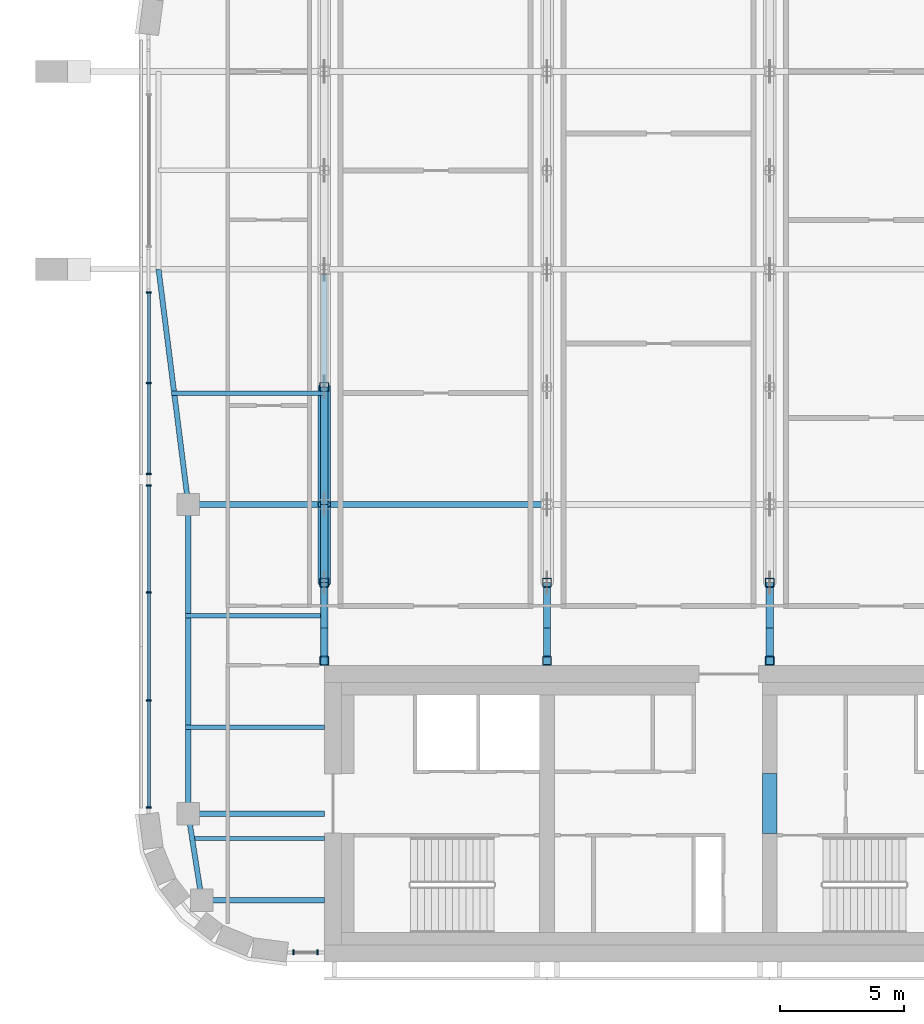
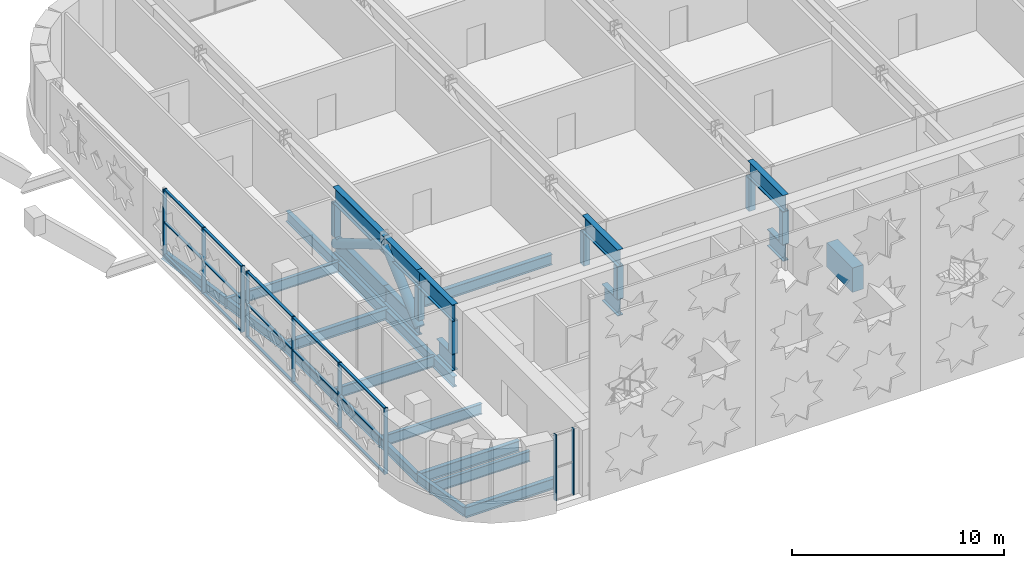
# One storey, part 3 of 26: 43 members, 12 beams, 3 elements without a shape of their own.
"""IFC4 building model written with IfcOpenShell, lengths in metres."""

from ifc_helpers import new_model, si_unit, direction, frame, origin, origin_2d, place, context, subcontext, project, spatial, rectangle, hollow_rectangle, hollow_circle, i_section, extrude, material, material_profile, profile_set, type_object, element, aggregate, save


model = new_model("IFC4")

# Units and contexts
model_context = context("Model", 3, precision=1e-05, world=origin(), true_north=direction((0.0, 1.0)))
body_context = subcontext(model_context, "Body", "Model", "MODEL_VIEW")
ifc_project = project(units=[si_unit("LENGTHUNIT", "METRE"), si_unit("AREAUNIT", "SQUARE_METRE"), si_unit("VOLUMEUNIT", "CUBIC_METRE"), si_unit("PLANEANGLEUNIT", "RADIAN"), si_unit("MASSUNIT", "GRAM", prefix="KILO")], contexts=[model_context])

# Site, building, storey
site_placement = place(None, origin())
site = spatial("IfcSite", under=ifc_project, at=site_placement, CompositionType="ELEMENT")
building_placement = place(site_placement, origin())
building = spatial("IfcBuilding", under=site, at=building_placement, Name="Zellij Exchange Tower", CompositionType="ELEMENT")
storey_placement = place(building_placement, frame((0.0, 0.0, 216.5)))
storey = spatial("IfcBuildingStorey", under=building, at=storey_placement, Name="L50", CompositionType="ELEMENT", Elevation=216.5)

# Beam
ifc_material_1 = material(Name="Concrete C50/60", Category="concrete")
ifc_material_profile_1 = material_profile(ifc_material_1, rectangle(XDim=0.60009765625, YDim=1.39990234375, at=origin_2d()), Name="CORE-CB 600x1400 C50/60")
ifc_profile_set_1 = profile_set([ifc_material_profile_1], Name="Concrete C50/60")
beam_type_1 = type_object("IfcBeamType", Name="CORE-CB 600x1400 C50/60", PredefinedType="BEAM", material=ifc_profile_set_1)
beam_1_placement = place(storey_placement, frame((-9.0, -8.800048828125, 3.10009765625), z_axis=(0.0, 1.0, 0.0), x_axis=(-1.0, 0.0, 0.0)))
element("IfcBeam", 1, at=beam_1_placement, inside=storey, type_object=beam_type_1, Name="Core coupling beam x -9 L50", PredefinedType="BEAM", context=body_context, shape_type="SweptSolid", body=[
    extrude(rectangle(XDim=0.60009765625, YDim=1.39990234375, at=origin_2d()), origin(), (0.0, 0.0, 1.0), 2.425048828125),
])

# Curtain wall, members
ifc_material_2 = material(Name="Aluminium frame, clear insulating glass", Category="aluminium")
curtain_wall_type = type_object("IfcCurtainWallType", Name="ENV-CW2 Outrigger-storey glazing", PredefinedType="NOTDEFINED", material=ifc_material_2)
curtain_wall_1_placement = place(storey_placement, origin())
curtain_wall_1 = element("IfcCurtainWall", 2, at=curtain_wall_1_placement, inside=storey, type_object=curtain_wall_type, Name="cw.L50.00a", PredefinedType="NOTDEFINED")
ifc_material_3 = material(Name="Aluminium", Category="aluminium")
ifc_material_profile_2 = material_profile(ifc_material_3, rectangle(XDim=0.06005859375, YDim=0.199951171875, at=origin_2d()), Name="AL 60x200")
ifc_profile_set_2 = profile_set([ifc_material_profile_2], Name="Aluminium")
member_type_1 = type_object("IfcMemberType", Name="ENV-CW2M Mullion 60x200", PredefinedType="MULLION", material=ifc_profile_set_2)
member_1_placement = place(storey_placement, frame((-28.243896484375, -13.60009765625, 0.0), z_axis=(0.0, 0.0, 1.0), x_axis=(1.0, 0.0, 0.0)))
member_1 = element("IfcMember", 3, at=member_1_placement, type_object=member_type_1, Name="CW2 mullion 1", PredefinedType="MULLION", context=body_context, shape_type="SweptSolid", body=[
    extrude(rectangle(XDim=0.06005859375, YDim=0.199951171875, at=origin_2d()), origin(), (0.0, 0.0, 1.0), 3.800048828125),
])
member_2_placement = place(storey_placement, frame((-27.280029296875, -13.60009765625, 0.0), z_axis=(0.0, 0.0, 1.0), x_axis=(1.0, 0.0, 0.0)))
member_2 = element("IfcMember", 4, at=member_2_placement, type_object=member_type_1, Name="CW2 mullion 2", PredefinedType="MULLION", context=body_context, shape_type="SweptSolid", body=[
    extrude(rectangle(XDim=0.06005859375, YDim=0.199951171875, at=origin_2d()), origin(), (0.0, 0.0, 1.0), 3.800048828125),
])
aggregate(curtain_wall_1, [member_1, member_2])

curtain_wall_2_placement = place(storey_placement, origin())
curtain_wall_2 = element("IfcCurtainWall", 5, at=curtain_wall_2_placement, inside=storey, type_object=curtain_wall_type, Name="cw.L50.21a.b", PredefinedType="NOTDEFINED")
member_3_placement = place(storey_placement, frame((-34.10009765625, 13.070068359375, 0.0), z_axis=(0.0, 0.0, 1.0), x_axis=(0.0, -1.0, 0.0)))
member_3 = element("IfcMember", 6, at=member_3_placement, type_object=member_type_1, Name="CW2 mullion 1", PredefinedType="MULLION", context=body_context, shape_type="SweptSolid", body=[
    extrude(rectangle(XDim=0.06005859375, YDim=0.199951171875, at=origin_2d()), origin(), (0.0, 0.0, 1.0), 3.800048828125),
])
member_4_placement = place(storey_placement, frame((-34.10009765625, 9.40185546875, 0.0), z_axis=(0.0, 0.0, 1.0), x_axis=(0.0, -1.0, 0.0)))
member_4 = element("IfcMember", 7, at=member_4_placement, type_object=member_type_1, Name="CW2 mullion 2", PredefinedType="MULLION", context=body_context, shape_type="SweptSolid", body=[
    extrude(rectangle(XDim=0.06005859375, YDim=0.199951171875, at=origin_2d()), origin(), (0.0, 0.0, 1.0), 3.800048828125),
])
member_5_placement = place(storey_placement, frame((-34.10009765625, 5.73388671875, 0.0), z_axis=(0.0, 0.0, 1.0), x_axis=(0.0, -1.0, 0.0)))
member_5 = element("IfcMember", 8, at=member_5_placement, type_object=member_type_1, Name="CW2 mullion 3", PredefinedType="MULLION", context=body_context, shape_type="SweptSolid", body=[
    extrude(rectangle(XDim=0.06005859375, YDim=0.199951171875, at=origin_2d()), origin(), (0.0, 0.0, 1.0), 3.800048828125),
])

curtain_wall_3_placement = place(storey_placement, origin())
curtain_wall_3 = element("IfcCurtainWall", 9, at=curtain_wall_3_placement, inside=storey, type_object=curtain_wall_type, Name="cw.L50.21b", PredefinedType="NOTDEFINED")
member_6_placement = place(storey_placement, frame((-34.10009765625, 5.273681640625, 0.0), z_axis=(0.0, 0.0, 1.0), x_axis=(0.0, -1.0, 0.0)))
member_6 = element("IfcMember", 10, at=member_6_placement, type_object=member_type_1, Name="CW2 mullion 1", PredefinedType="MULLION", context=body_context, shape_type="SweptSolid", body=[
    extrude(rectangle(XDim=0.06005859375, YDim=0.199951171875, at=origin_2d()), origin(), (0.0, 0.0, 1.0), 3.800048828125),
])
member_7_placement = place(storey_placement, frame((-34.10009765625, 0.944580078125, 0.0), z_axis=(0.0, 0.0, 1.0), x_axis=(0.0, -1.0, 0.0)))
member_7 = element("IfcMember", 11, at=member_7_placement, type_object=member_type_1, Name="CW2 mullion 2", PredefinedType="MULLION", context=body_context, shape_type="SweptSolid", body=[
    extrude(rectangle(XDim=0.06005859375, YDim=0.199951171875, at=origin_2d()), origin(), (0.0, 0.0, 1.0), 3.800048828125),
])
member_8_placement = place(storey_placement, frame((-34.10009765625, -3.41455078125, 0.0), z_axis=(0.0, 0.0, 1.0), x_axis=(0.0, -1.0, 0.0)))
member_8 = element("IfcMember", 12, at=member_8_placement, type_object=member_type_1, Name="CW2 mullion 3", PredefinedType="MULLION", context=body_context, shape_type="SweptSolid", body=[
    extrude(rectangle(XDim=0.06005859375, YDim=0.199951171875, at=origin_2d()), origin(), (0.0, 0.0, 1.0), 3.800048828125),
])
member_9_placement = place(storey_placement, frame((-34.10009765625, -7.743896484375, 0.0), z_axis=(0.0, 0.0, 1.0), x_axis=(0.0, -1.0, 0.0)))
member_9 = element("IfcMember", 13, at=member_9_placement, type_object=member_type_1, Name="CW2 mullion 4", PredefinedType="MULLION", context=body_context, shape_type="SweptSolid", body=[
    extrude(rectangle(XDim=0.06005859375, YDim=0.199951171875, at=origin_2d()), origin(), (0.0, 0.0, 1.0), 3.800048828125),
])

# Member
ifc_material_profile_3 = material_profile(ifc_material_3, rectangle(XDim=0.139892578125, YDim=0.06005859375, at=origin_2d()), Name="AL 140x60")
ifc_profile_set_3 = profile_set([ifc_material_profile_3], Name="Aluminium")
member_type_2 = type_object("IfcMemberType", Name="ENV-CW2T Transom 140x60", PredefinedType="USERDEFINED", material=ifc_profile_set_3)
member_10_placement = place(storey_placement, frame((-34.10009765625, 13.0400390625, 0.030029296875), z_axis=(0.0, -1.0, 0.0), x_axis=(1.0, 0.0, 0.0)))
member_10 = element("IfcMember", 14, at=member_10_placement, type_object=member_type_2, Name="CW2 transom 1.1", ObjectType="TRANSOM", PredefinedType="USERDEFINED", context=body_context, shape_type="SweptSolid", body=[
    extrude(rectangle(XDim=0.139892578125, YDim=0.06005859375, at=origin_2d()), origin(), (0.0, 0.0, 1.0), 3.608154296875),
])

member_11_placement = place(storey_placement, frame((-34.10009765625, 13.0400390625, 1.89990234375), z_axis=(0.0, -1.0, 0.0), x_axis=(1.0, 0.0, 0.0)))
member_11 = element("IfcMember", 15, at=member_11_placement, type_object=member_type_2, Name="CW2 transom 1.2", ObjectType="TRANSOM", PredefinedType="USERDEFINED", context=body_context, shape_type="SweptSolid", body=[
    extrude(rectangle(XDim=0.139892578125, YDim=0.06005859375, at=origin_2d()), origin(), (0.0, 0.0, 1.0), 3.608154296875),
])

member_12_placement = place(storey_placement, frame((-34.10009765625, 13.0400390625, 3.77001953125), z_axis=(0.0, -1.0, 0.0), x_axis=(1.0, 0.0, 0.0)))
member_12 = element("IfcMember", 16, at=member_12_placement, type_object=member_type_2, Name="CW2 transom 1.3", ObjectType="TRANSOM", PredefinedType="USERDEFINED", context=body_context, shape_type="SweptSolid", body=[
    extrude(rectangle(XDim=0.139892578125, YDim=0.06005859375, at=origin_2d()), origin(), (0.0, 0.0, 1.0), 3.608154296875),
])

member_13_placement = place(storey_placement, frame((-34.10009765625, 9.371826171875, 0.030029296875), z_axis=(0.0, -1.0, 0.0), x_axis=(1.0, 0.0, 0.0)))
member_13 = element("IfcMember", 17, at=member_13_placement, type_object=member_type_2, Name="CW2 transom 2.1", ObjectType="TRANSOM", PredefinedType="USERDEFINED", context=body_context, shape_type="SweptSolid", body=[
    extrude(rectangle(XDim=0.139892578125, YDim=0.06005859375, at=origin_2d()), origin(), (0.0, 0.0, 1.0), 3.60791015625),
])

member_14_placement = place(storey_placement, frame((-34.10009765625, 9.371826171875, 1.89990234375), z_axis=(0.0, -1.0, 0.0), x_axis=(1.0, 0.0, 0.0)))
member_14 = element("IfcMember", 18, at=member_14_placement, type_object=member_type_2, Name="CW2 transom 2.2", ObjectType="TRANSOM", PredefinedType="USERDEFINED", context=body_context, shape_type="SweptSolid", body=[
    extrude(rectangle(XDim=0.139892578125, YDim=0.06005859375, at=origin_2d()), origin(), (0.0, 0.0, 1.0), 3.60791015625),
])

member_15_placement = place(storey_placement, frame((-34.10009765625, 9.371826171875, 3.77001953125), z_axis=(0.0, -1.0, 0.0), x_axis=(1.0, 0.0, 0.0)))
member_15 = element("IfcMember", 19, at=member_15_placement, type_object=member_type_2, Name="CW2 transom 2.3", ObjectType="TRANSOM", PredefinedType="USERDEFINED", context=body_context, shape_type="SweptSolid", body=[
    extrude(rectangle(XDim=0.139892578125, YDim=0.06005859375, at=origin_2d()), origin(), (0.0, 0.0, 1.0), 3.60791015625),
])

aggregate(curtain_wall_2, [member_3, member_4, member_5, member_10, member_11, member_12, member_13, member_14, member_15])

member_16_placement = place(storey_placement, frame((-34.10009765625, 5.243896484375, 0.030029296875), z_axis=(0.0, -1.0, 0.0), x_axis=(1.0, 0.0, 0.0)))
member_16 = element("IfcMember", 20, at=member_16_placement, type_object=member_type_2, Name="CW2 transom 1.1", ObjectType="TRANSOM", PredefinedType="USERDEFINED", context=body_context, shape_type="SweptSolid", body=[
    extrude(rectangle(XDim=0.139892578125, YDim=0.06005859375, at=origin_2d()), origin(), (0.0, 0.0, 1.0), 4.269287109375),
])

member_17_placement = place(storey_placement, frame((-34.10009765625, 5.243896484375, 1.89990234375), z_axis=(0.0, -1.0, 0.0), x_axis=(1.0, 0.0, 0.0)))
member_17 = element("IfcMember", 21, at=member_17_placement, type_object=member_type_2, Name="CW2 transom 1.2", ObjectType="TRANSOM", PredefinedType="USERDEFINED", context=body_context, shape_type="SweptSolid", body=[
    extrude(rectangle(XDim=0.139892578125, YDim=0.06005859375, at=origin_2d()), origin(), (0.0, 0.0, 1.0), 4.269287109375),
])

member_18_placement = place(storey_placement, frame((-34.10009765625, 5.243896484375, 3.77001953125), z_axis=(0.0, -1.0, 0.0), x_axis=(1.0, 0.0, 0.0)))
member_18 = element("IfcMember", 22, at=member_18_placement, type_object=member_type_2, Name="CW2 transom 1.3", ObjectType="TRANSOM", PredefinedType="USERDEFINED", context=body_context, shape_type="SweptSolid", body=[
    extrude(rectangle(XDim=0.139892578125, YDim=0.06005859375, at=origin_2d()), origin(), (0.0, 0.0, 1.0), 4.269287109375),
])

member_19_placement = place(storey_placement, frame((-34.10009765625, 0.91455078125, 0.030029296875), z_axis=(0.0, -1.0, 0.0), x_axis=(1.0, 0.0, 0.0)))
member_19 = element("IfcMember", 23, at=member_19_placement, type_object=member_type_2, Name="CW2 transom 2.1", ObjectType="TRANSOM", PredefinedType="USERDEFINED", context=body_context, shape_type="SweptSolid", body=[
    extrude(rectangle(XDim=0.139892578125, YDim=0.06005859375, at=origin_2d()), origin(), (0.0, 0.0, 1.0), 4.299072265625),
])

member_20_placement = place(storey_placement, frame((-34.10009765625, 0.91455078125, 1.89990234375), z_axis=(0.0, -1.0, 0.0), x_axis=(1.0, 0.0, 0.0)))
member_20 = element("IfcMember", 24, at=member_20_placement, type_object=member_type_2, Name="CW2 transom 2.2", ObjectType="TRANSOM", PredefinedType="USERDEFINED", context=body_context, shape_type="SweptSolid", body=[
    extrude(rectangle(XDim=0.139892578125, YDim=0.06005859375, at=origin_2d()), origin(), (0.0, 0.0, 1.0), 4.299072265625),
])

member_21_placement = place(storey_placement, frame((-34.10009765625, 0.91455078125, 3.77001953125), z_axis=(0.0, -1.0, 0.0), x_axis=(1.0, 0.0, 0.0)))
member_21 = element("IfcMember", 25, at=member_21_placement, type_object=member_type_2, Name="CW2 transom 2.3", ObjectType="TRANSOM", PredefinedType="USERDEFINED", context=body_context, shape_type="SweptSolid", body=[
    extrude(rectangle(XDim=0.139892578125, YDim=0.06005859375, at=origin_2d()), origin(), (0.0, 0.0, 1.0), 4.299072265625),
])

member_22_placement = place(storey_placement, frame((-34.10009765625, -3.444580078125, 0.030029296875), z_axis=(0.0, -1.0, 0.0), x_axis=(1.0, 0.0, 0.0)))
member_22 = element("IfcMember", 26, at=member_22_placement, type_object=member_type_2, Name="CW2 transom 3.1", ObjectType="TRANSOM", PredefinedType="USERDEFINED", context=body_context, shape_type="SweptSolid", body=[
    extrude(rectangle(XDim=0.139892578125, YDim=0.06005859375, at=origin_2d()), origin(), (0.0, 0.0, 1.0), 4.269287109375),
])

member_23_placement = place(storey_placement, frame((-34.10009765625, -3.444580078125, 1.89990234375), z_axis=(0.0, -1.0, 0.0), x_axis=(1.0, 0.0, 0.0)))
member_23 = element("IfcMember", 27, at=member_23_placement, type_object=member_type_2, Name="CW2 transom 3.2", ObjectType="TRANSOM", PredefinedType="USERDEFINED", context=body_context, shape_type="SweptSolid", body=[
    extrude(rectangle(XDim=0.139892578125, YDim=0.06005859375, at=origin_2d()), origin(), (0.0, 0.0, 1.0), 4.269287109375),
])

member_24_placement = place(storey_placement, frame((-34.10009765625, -3.444580078125, 3.77001953125), z_axis=(0.0, -1.0, 0.0), x_axis=(1.0, 0.0, 0.0)))
member_24 = element("IfcMember", 28, at=member_24_placement, type_object=member_type_2, Name="CW2 transom 3.3", ObjectType="TRANSOM", PredefinedType="USERDEFINED", context=body_context, shape_type="SweptSolid", body=[
    extrude(rectangle(XDim=0.139892578125, YDim=0.06005859375, at=origin_2d()), origin(), (0.0, 0.0, 1.0), 4.269287109375),
])

aggregate(curtain_wall_3, [member_6, member_7, member_8, member_9, member_16, member_17, member_18, member_19, member_20, member_21, member_22, member_23, member_24])

# Beams
ifc_material_4 = material(Name="Structural steel ASTM A992 Gr 50", Category="steel")
ifc_material_profile_4 = material_profile(ifc_material_4, i_section(OverallWidth=0.177978515625, OverallDepth=0.599365234375, WebThickness=0.010009765625, FlangeThickness=0.012939453125, at=origin_2d()), Name="W24x55")
ifc_profile_set_4 = profile_set([ifc_material_profile_4], Name="Structural steel ASTM A992 Gr 50")
beam_type_2 = type_object("IfcBeamType", Name="STR-BEAM W24x55", PredefinedType="BEAM", material=ifc_profile_set_4)
beam_2_placement = place(storey_placement, frame((-32.44873046875, -9.0, -0.649658203125), z_axis=(1.0, 0.0, 0.0), x_axis=(0.0, 1.0, 0.0)))
element("IfcBeam", 29, at=beam_2_placement, inside=storey, type_object=beam_type_2, Name="B4", PredefinedType="BEAM", context=body_context, shape_type="SweptSolid", body=[
    extrude(i_section(OverallWidth=0.177978515625, OverallDepth=0.599365234375, WebThickness=0.010009765625, FlangeThickness=0.012939453125, at=origin_2d()), origin(), (0.0, 0.0, 1.0), 5.44873046875),
])
for number, where, z_axis, x_axis, name in (
    (30, (-32.6044921875, -4.5, -0.649658203125), (1.0, 0.0, 0.0), (0.0, 1.0, 0.0), "B4"),
    (31, (-32.6044921875, 0.0, -0.649658203125), (1.0, 0.0, 0.0), (0.0, 1.0, 0.0), "B4"),
):
    element("IfcBeam", number, at=place(storey_placement, frame(where, z_axis=z_axis, x_axis=x_axis)), inside=storey, type_object=beam_type_2, Name=name, PredefinedType="BEAM", context=body_context, shape_type="SweptSolid", body=[
        extrude(i_section(OverallWidth=0.177978515625, OverallDepth=0.599365234375, WebThickness=0.010009765625, FlangeThickness=0.012939453125, at=origin_2d()), origin(), (0.0, 0.0, 1.0), 5.6044921875),
    ])
beam_3_placement = place(storey_placement, frame((-33.173828125, 9.0, -0.649658203125), z_axis=(1.0, 0.0, 0.0), x_axis=(0.0, 1.0, 0.0)))
element("IfcBeam", 32, at=beam_3_placement, inside=storey, type_object=beam_type_2, Name="B4", PredefinedType="BEAM", context=body_context, shape_type="SweptSolid", body=[
    extrude(i_section(OverallWidth=0.177978515625, OverallDepth=0.599365234375, WebThickness=0.010009765625, FlangeThickness=0.012939453125, at=origin_2d()), origin(), (0.0, 0.0, 1.0), 6.173828125),
])
ifc_material_profile_5 = material_profile(ifc_material_4, i_section(OverallWidth=0.209228515625, OverallDepth=0.533447265625, WebThickness=0.01025390625, FlangeThickness=0.015625, at=origin_2d()), Name="W21x62")
ifc_profile_set_5 = profile_set([ifc_material_profile_5], Name="Structural steel ASTM A992 Gr 50")
beam_type_3 = type_object("IfcBeamType", Name="STR-EDGE GIRDER W21x62", PredefinedType="BEAM", material=ifc_profile_set_5)
beam_4_placement = place(storey_placement, frame((-31.949951171875, -11.5, -0.61669921875), z_axis=(-0.155251283593, 0.987875011802, 0.0), x_axis=(-0.987875011802, -0.155251283593, 0.0)))
element("IfcBeam", 33, at=beam_4_placement, inside=storey, type_object=beam_type_3, Name="EB3", PredefinedType="BEAM", context=body_context, shape_type="SweptSolid", body=[
    extrude(i_section(OverallWidth=0.209228515625, OverallDepth=0.533447265625, WebThickness=0.01025390625, FlangeThickness=0.015625, at=origin_2d()), origin(), (0.0, 0.0, 1.0), 3.54296875),
])
beam_5_placement = place(storey_placement, frame((-32.5, -8.0, -0.61669921875), z_axis=(0.0, 1.0, 0.0), x_axis=(-1.0, 0.0, 0.0)))
element("IfcBeam", 34, at=beam_5_placement, inside=storey, type_object=beam_type_3, Name="EB3", PredefinedType="BEAM", context=body_context, shape_type="SweptSolid", body=[
    extrude(i_section(OverallWidth=0.209228515625, OverallDepth=0.533447265625, WebThickness=0.01025390625, FlangeThickness=0.015625, at=origin_2d()), origin(), (0.0, 0.0, 1.0), 12.5),
])
beam_6_placement = place(storey_placement, frame((-32.5, 4.5, -0.61669921875), z_axis=(-0.125314944287, 0.992117011616, 0.0), x_axis=(-0.992117011616, -0.125314944287, 0.0)))
element("IfcBeam", 35, at=beam_6_placement, inside=storey, type_object=beam_type_3, Name="EB3", PredefinedType="BEAM", context=body_context, shape_type="SweptSolid", body=[
    extrude(i_section(OverallWidth=0.209228515625, OverallDepth=0.533447265625, WebThickness=0.01025390625, FlangeThickness=0.015625, at=origin_2d()), origin(), (0.0, 0.0, 1.0), 9.575439453125),
])
ifc_material_profile_6 = material_profile(ifc_material_4, i_section(OverallWidth=0.228271484375, OverallDepth=0.607177734375, WebThickness=0.01123046875, FlangeThickness=0.017333984375, at=origin_2d()), Name="W24x76")
ifc_profile_set_6 = profile_set([ifc_material_profile_6], Name="Structural steel ASTM A992 Gr 50")
beam_type_4 = type_object("IfcBeamType", Name="STR-GIRDER W24x76", PredefinedType="BEAM", material=ifc_profile_set_6)
beam_7_placement = place(storey_placement, frame((-31.949951171875, -11.5, -0.653564453125), z_axis=(1.0, 0.0, 0.0), x_axis=(0.0, 1.0, 0.0)))
element("IfcBeam", 36, at=beam_7_placement, inside=storey, type_object=beam_type_4, Name="G2", PredefinedType="BEAM", context=body_context, shape_type="SweptSolid", body=[
    extrude(i_section(OverallWidth=0.228271484375, OverallDepth=0.607177734375, WebThickness=0.01123046875, FlangeThickness=0.017333984375, at=origin_2d()), origin(), (0.0, 0.0, 1.0), 4.949951171875),
])
beam_8_placement = place(storey_placement, frame((-32.5, -8.0, -0.653564453125), z_axis=(1.0, 0.0, 0.0), x_axis=(0.0, 1.0, 0.0)))
element("IfcBeam", 37, at=beam_8_placement, inside=storey, type_object=beam_type_4, Name="G2", PredefinedType="BEAM", context=body_context, shape_type="SweptSolid", body=[
    extrude(i_section(OverallWidth=0.228271484375, OverallDepth=0.607177734375, WebThickness=0.01123046875, FlangeThickness=0.017333984375, at=origin_2d()), origin(), (0.0, 0.0, 1.0), 5.5),
])
beam_9_placement = place(storey_placement, frame((-32.5, 4.5, -0.653564453125), z_axis=(1.0, 0.0, 0.0), x_axis=(0.0, 1.0, 0.0)))
element("IfcBeam", 38, at=beam_9_placement, inside=storey, type_object=beam_type_4, Name="G2", PredefinedType="BEAM", context=body_context, shape_type="SweptSolid", body=[
    extrude(i_section(OverallWidth=0.228271484375, OverallDepth=0.607177734375, WebThickness=0.01123046875, FlangeThickness=0.017333984375, at=origin_2d()), origin(), (0.0, 0.0, 1.0), 14.5),
])
beam_10_placement = place(storey_placement, frame((-27.0, -2.0, -0.653564453125), z_axis=(0.0, 1.0, 0.0), x_axis=(-1.0, 0.0, 0.0)))
element("IfcBeam", 39, at=beam_10_placement, inside=storey, type_object=beam_type_4, Name="G2", PredefinedType="BEAM", context=body_context, shape_type="SweptSolid", body=[
    extrude(i_section(OverallWidth=0.228271484375, OverallDepth=0.607177734375, WebThickness=0.01123046875, FlangeThickness=0.017333984375, at=origin_2d()), origin(), (0.0, 0.0, 1.0), 15.787841796875),
])

# Members
ifc_material_5 = material(Name="Structural steel ASTM A913 Gr 65", Category="steel")
ifc_material_profile_7 = material_profile(ifc_material_5, i_section(OverallWidth=0.2998046875, OverallDepth=0.965087890625, WebThickness=0.01904296875, FlangeThickness=0.0361328125, at=origin_2d()), Name="W40x249")
ifc_profile_set_7 = profile_set([ifc_material_profile_7], Name="Structural steel ASTM A913 Gr 65")
member_type_3 = type_object("IfcMemberType", Name="STR-OUTRIGGER TRUSS CHORD W40x249", PredefinedType="CHORD", material=ifc_profile_set_7)
member_25_placement = place(storey_placement, frame((-27.0, -2.0, 3.3173828125), z_axis=(0.0, 1.0, 0.0), x_axis=(-1.0, 0.0, 0.0)))
element("IfcMember", 40, at=member_25_placement, inside=storey, type_object=member_type_3, Name="OT1", PredefinedType="CHORD", context=body_context, shape_type="SweptSolid", body=[
    extrude(i_section(OverallWidth=0.2998046875, OverallDepth=0.965087890625, WebThickness=0.01904296875, FlangeThickness=0.0361328125, at=origin_2d()), origin(), (0.0, 0.0, 1.0), 3.339111328125),
])
member_26_placement = place(storey_placement, frame((-27.0, -2.0, 0.482666015625), z_axis=(0.0, 1.0, 0.0), x_axis=(-1.0, 0.0, 0.0)))
element("IfcMember", 41, at=member_26_placement, inside=storey, type_object=member_type_3, Name="OT1", PredefinedType="CHORD", context=body_context, shape_type="SweptSolid", body=[
    extrude(i_section(OverallWidth=0.2998046875, OverallDepth=0.965087890625, WebThickness=0.01904296875, FlangeThickness=0.0361328125, at=origin_2d()), origin(), (0.0, 0.0, 1.0), 1.5),
])
for number, where, z_axis, x_axis, name in (
    (42, (-27.0, 1.339111328125, 3.3173828125), (0.0, 1.0, 0.0), (-1.0, 0.0, 0.0), "OT1"),
    (43, (-27.0, 1.339111328125, 0.482666015625), (0.0, 1.0, 0.0), (-1.0, 0.0, 0.0), "OT1"),
):
    element("IfcMember", number, at=place(storey_placement, frame(where, z_axis=z_axis, x_axis=x_axis)), inside=storey, type_object=member_type_3, Name=name, PredefinedType="CHORD", context=body_context, shape_type="SweptSolid", body=[
        extrude(i_section(OverallWidth=0.2998046875, OverallDepth=0.965087890625, WebThickness=0.01904296875, FlangeThickness=0.0361328125, at=origin_2d()), origin(), (0.0, 0.0, 1.0), 3.160888671875),
    ])
for number, where, z_axis, x_axis, name in (
    (44, (-27.0, 4.5, 3.3173828125), (0.0, 1.0, 0.0), (-1.0, 0.0, 0.0), "OT1"),
    (45, (-27.0, 4.5, 0.482666015625), (0.0, 1.0, 0.0), (-1.0, 0.0, 0.0), "OT1"),
):
    element("IfcMember", number, at=place(storey_placement, frame(where, z_axis=z_axis, x_axis=x_axis)), inside=storey, type_object=member_type_3, Name=name, PredefinedType="CHORD", context=body_context, shape_type="SweptSolid", body=[
        extrude(i_section(OverallWidth=0.2998046875, OverallDepth=0.965087890625, WebThickness=0.01904296875, FlangeThickness=0.0361328125, at=origin_2d()), origin(), (0.0, 0.0, 1.0), 4.75),
    ])
member_27_placement = place(storey_placement, frame((-18.0, -2.0, 3.3173828125), z_axis=(0.0, 1.0, 0.0), x_axis=(-1.0, 0.0, 0.0)))
element("IfcMember", 46, at=member_27_placement, inside=storey, type_object=member_type_3, Name="OT1", PredefinedType="CHORD", context=body_context, shape_type="SweptSolid", body=[
    extrude(i_section(OverallWidth=0.2998046875, OverallDepth=0.965087890625, WebThickness=0.01904296875, FlangeThickness=0.0361328125, at=origin_2d()), origin(), (0.0, 0.0, 1.0), 3.339111328125),
])
member_28_placement = place(storey_placement, frame((-18.0, -2.0, 0.482666015625), z_axis=(0.0, 1.0, 0.0), x_axis=(-1.0, 0.0, 0.0)))
element("IfcMember", 47, at=member_28_placement, inside=storey, type_object=member_type_3, Name="OT1", PredefinedType="CHORD", context=body_context, shape_type="SweptSolid", body=[
    extrude(i_section(OverallWidth=0.2998046875, OverallDepth=0.965087890625, WebThickness=0.01904296875, FlangeThickness=0.0361328125, at=origin_2d()), origin(), (0.0, 0.0, 1.0), 1.5),
])
member_29_placement = place(storey_placement, frame((-9.0, -2.0, 3.3173828125), z_axis=(0.0, 1.0, 0.0), x_axis=(-1.0, 0.0, 0.0)))
element("IfcMember", 48, at=member_29_placement, inside=storey, type_object=member_type_3, Name="OT1", PredefinedType="CHORD", context=body_context, shape_type="SweptSolid", body=[
    extrude(i_section(OverallWidth=0.2998046875, OverallDepth=0.965087890625, WebThickness=0.01904296875, FlangeThickness=0.0361328125, at=origin_2d()), origin(), (0.0, 0.0, 1.0), 3.339111328125),
])
member_30_placement = place(storey_placement, frame((-9.0, -2.0, 0.482666015625), z_axis=(0.0, 1.0, 0.0), x_axis=(-1.0, 0.0, 0.0)))
element("IfcMember", 49, at=member_30_placement, inside=storey, type_object=member_type_3, Name="OT1", PredefinedType="CHORD", context=body_context, shape_type="SweptSolid", body=[
    extrude(i_section(OverallWidth=0.2998046875, OverallDepth=0.965087890625, WebThickness=0.01904296875, FlangeThickness=0.0361328125, at=origin_2d()), origin(), (0.0, 0.0, 1.0), 1.5),
])
ifc_material_6 = material(Name="Structural steel ASTM A500 Gr C", Category="steel")
ifc_material_profile_8 = material_profile(ifc_material_6, hollow_circle(Radius=0.25390625, WallThickness=0.01171875, at=origin_2d()), Name="STR-OUTRIGGER TRUSS DIAGONAL HSS20.000x0.500")
ifc_profile_set_8 = profile_set([ifc_material_profile_8], Name="Structural steel ASTM A500 Gr C")
member_type_4 = type_object("IfcMemberType", Name="STR-OUTRIGGER TRUSS DIAGONAL HSS20.000x0.500", PredefinedType="BRACE", material=ifc_profile_set_8)
member_31_placement = place(storey_placement, frame((-27.0, 1.339111328125, 0.482666015625), z_axis=(0.0, 0.744473836996, 0.667651635233), x_axis=(-1.0, 0.0, 0.0)))
element("IfcMember", 50, at=member_31_placement, inside=storey, type_object=member_type_4, Name="OT2", PredefinedType="BRACE", context=body_context, shape_type="SweptSolid", body=[
    extrude(hollow_circle(Radius=0.25390625, WallThickness=0.01171875, at=origin_2d()), origin(), (0.0, 0.0, 1.0), 4.245849609375),
])
member_32_placement = place(storey_placement, frame((-27.0, 4.5, 3.3173828125), z_axis=(0.0, 0.858709450823, -0.512462758712), x_axis=(-1.0, 0.0, 0.0)))
element("IfcMember", 51, at=member_32_placement, inside=storey, type_object=member_type_4, Name="OT2", PredefinedType="BRACE", context=body_context, shape_type="SweptSolid", body=[
    extrude(hollow_circle(Radius=0.25390625, WallThickness=0.01171875, at=origin_2d()), origin(), (0.0, 0.0, 1.0), 5.531494140625),
])
ifc_material_profile_9 = material_profile(ifc_material_6, hollow_rectangle(XDim=0.355712890625, YDim=0.355712890625, WallThickness=0.01171875, InnerFilletRadius=0.01171875, OuterFilletRadius=0.023681640625, at=origin_2d()), Name="STR-OUTRIGGER TRUSS POST HSS14x14x1/2")
ifc_profile_set_9 = profile_set([ifc_material_profile_9], Name="Structural steel ASTM A500 Gr C")
member_type_5 = type_object("IfcMemberType", Name="STR-OUTRIGGER TRUSS POST HSS14x14x1/2", PredefinedType="POST", material=ifc_profile_set_9)
for number, where, z_axis, x_axis, name in (
    (52, (-27.0, -1.822265625, 0.965087890625), (0.0, 0.0, 1.0), (1.0, 0.0, 0.0), "OT3"),
    (53, (-27.0, 1.339111328125, 0.965087890625), (0.0, 0.0, 1.0), (1.0, 0.0, 0.0), "OT3"),
    (54, (-27.0, 9.25, 0.965087890625), (0.0, 0.0, 1.0), (1.0, 0.0, 0.0), "OT3"),
    (55, (-18.0, -1.822265625, 0.965087890625), (0.0, 0.0, 1.0), (1.0, 0.0, 0.0), "OT3"),
    (56, (-18.0, 1.339111328125, 0.965087890625), (0.0, 0.0, 1.0), (1.0, 0.0, 0.0), "OT3"),
    (57, (-9.0, -1.822265625, 0.965087890625), (0.0, 0.0, 1.0), (1.0, 0.0, 0.0), "OT3"),
    (58, (-9.0, 1.339111328125, 0.965087890625), (0.0, 0.0, 1.0), (1.0, 0.0, 0.0), "OT3"),
):
    element("IfcMember", number, at=place(storey_placement, frame(where, z_axis=z_axis, x_axis=x_axis)), inside=storey, type_object=member_type_5, Name=name, PredefinedType="POST", context=body_context, shape_type="SweptSolid", body=[
        extrude(hollow_rectangle(XDim=0.355712890625, YDim=0.355712890625, WallThickness=0.01171875, InnerFilletRadius=0.01171875, OuterFilletRadius=0.023681640625, at=origin_2d()), origin(), (0.0, 0.0, 1.0), 1.86962890625),
    ])

save(model, "model.ifc")
